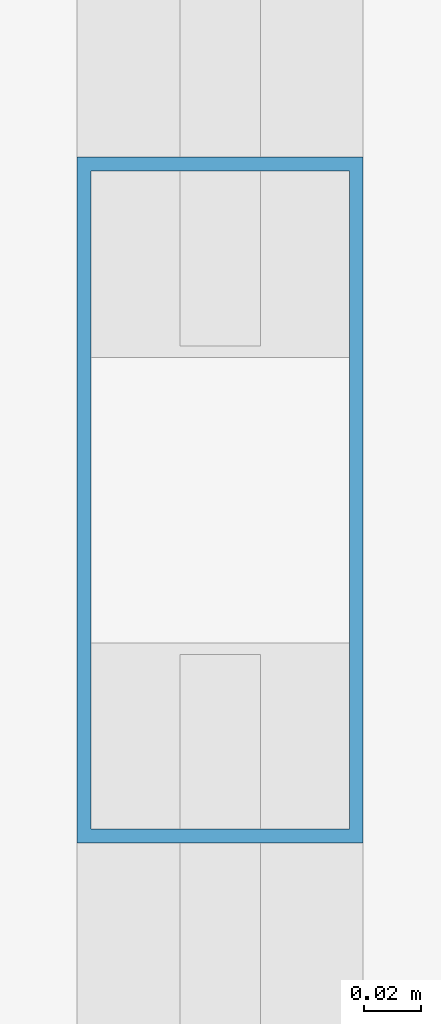
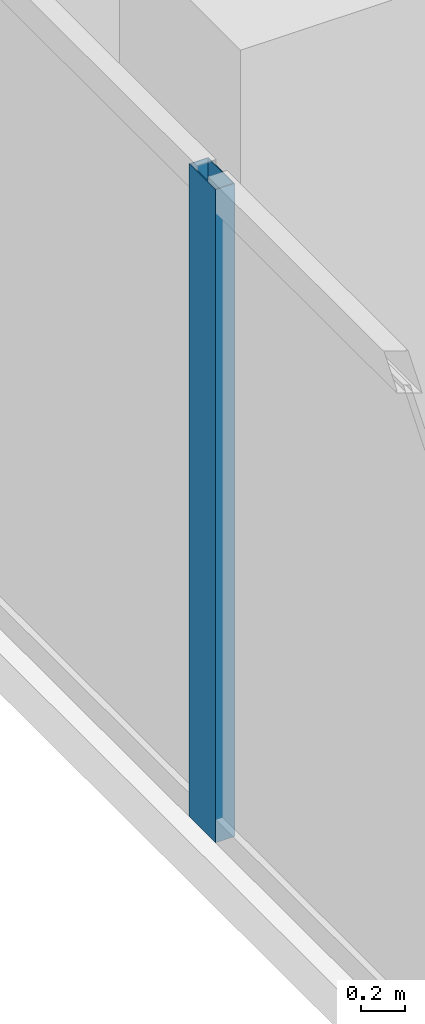
# One storey, part 8 of 27: 1 member, 1 element without a shape of its own.
"""IFC4 building model written with IfcOpenShell, lengths in metres."""

from ifc_helpers import new_model, si_unit, direction, frame, origin, origin_2d, place, context, subcontext, project, spatial, hollow_rectangle, extrude, material, layer, layer_set, material_profile, profile_set, type_object, element, aggregate, save


model = new_model("IFC4")

# Units and contexts
model_context = context("Model", 3, precision=1e-05, world=origin(), true_north=direction((0.0, 1.0)))
body_context = subcontext(model_context, "Body", "Model", "MODEL_VIEW")
ifc_project = project(units=[si_unit("LENGTHUNIT", "METRE"), si_unit("AREAUNIT", "SQUARE_METRE"), si_unit("VOLUMEUNIT", "CUBIC_METRE"), si_unit("PLANEANGLEUNIT", "RADIAN"), si_unit("MASSUNIT", "GRAM", prefix="KILO")], contexts=[model_context])

# Site, building, storey
site_placement = place(None, origin())
site = spatial("IfcSite", under=ifc_project, at=site_placement, CompositionType="ELEMENT")
building_placement = place(site_placement, origin())
building = spatial("IfcBuilding", under=site, at=building_placement, Name="Khorvyn Point Tower", CompositionType="ELEMENT")
storey_placement = place(building_placement, frame((0.0, 0.0, 164.10009765625)))
storey = spatial("IfcBuildingStorey", under=building, at=storey_placement, Name="L40", CompositionType="ELEMENT", Elevation=164.10009765625)

# Curtain wall, member
ifc_material_1 = material(Name="Anodised aluminium 6063-T6 and laminated Low-E glass", Category="aluminium")
ifc_layer = layer(ifc_material_1, 0.18994140625)
ifc_layer_set = layer_set([ifc_layer], Name="Stick-Built Acoustic Curtain Wall CW-SYS-03")
curtain_wall_type = type_object("IfcCurtainWallType", Name="Stick-Built Acoustic Curtain Wall CW-SYS-03", PredefinedType="NOTDEFINED", material=ifc_layer_set)
curtain_wall_placement = place(storey_placement, origin())
curtain_wall = element("IfcCurtainWall", 1, at=curtain_wall_placement, inside=storey, type_object=curtain_wall_type, Name="Curtain Wall", PredefinedType="NOTDEFINED")
ifc_material_2 = material(Name="Anodised aluminium 6063-T6", Category="aluminium")
ifc_material_profile = material_profile(ifc_material_2, hollow_rectangle(XDim=0.10009765625, YDim=0.239990234375, WallThickness=0.0048828125, at=origin_2d()))
ifc_profile_set = profile_set([ifc_material_profile], Name="Anodised aluminium 6063-T6 ALU-MUL-100x240")
member_type = type_object("IfcMemberType", Name="Anodised Aluminium 6063-T6 Mullion ALU-MUL-100x240", PredefinedType="MULLION", material=ifc_profile_set)
member_placement = place(storey_placement, frame((-19.75, 6.416748046875, 0.0), z_axis=(0.0, 0.0, 1.0), x_axis=(-1.0, 0.0, 0.0)))
member = element("IfcMember", 2, at=member_placement, type_object=member_type, Name="Transom", PredefinedType="MULLION", context=body_context, shape_type="SweptSolid", body=[
    extrude(hollow_rectangle(XDim=0.10009765625, YDim=0.239990234375, WallThickness=0.0048828125, at=origin_2d()), origin(), (0.0, 0.0, 1.0), 3.619873046875),
])
aggregate(curtain_wall, [member])

save(model, "model.ifc")
